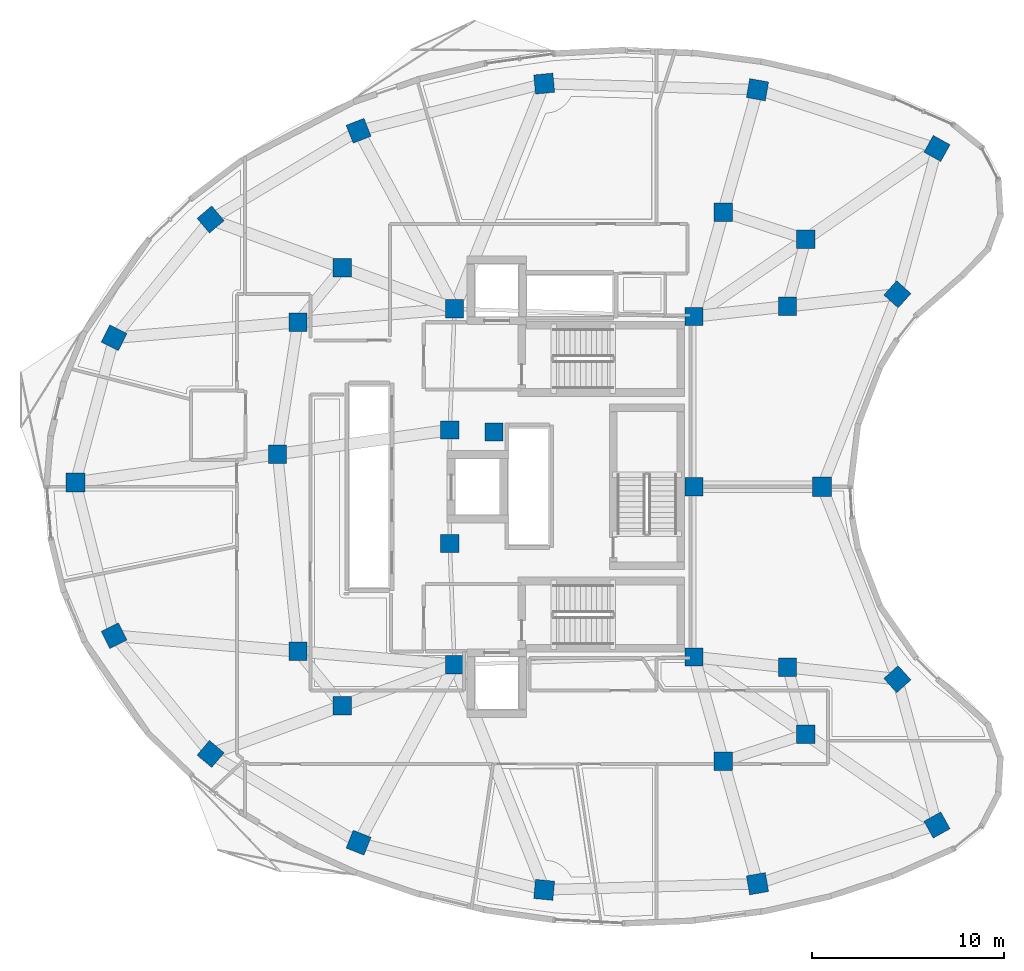
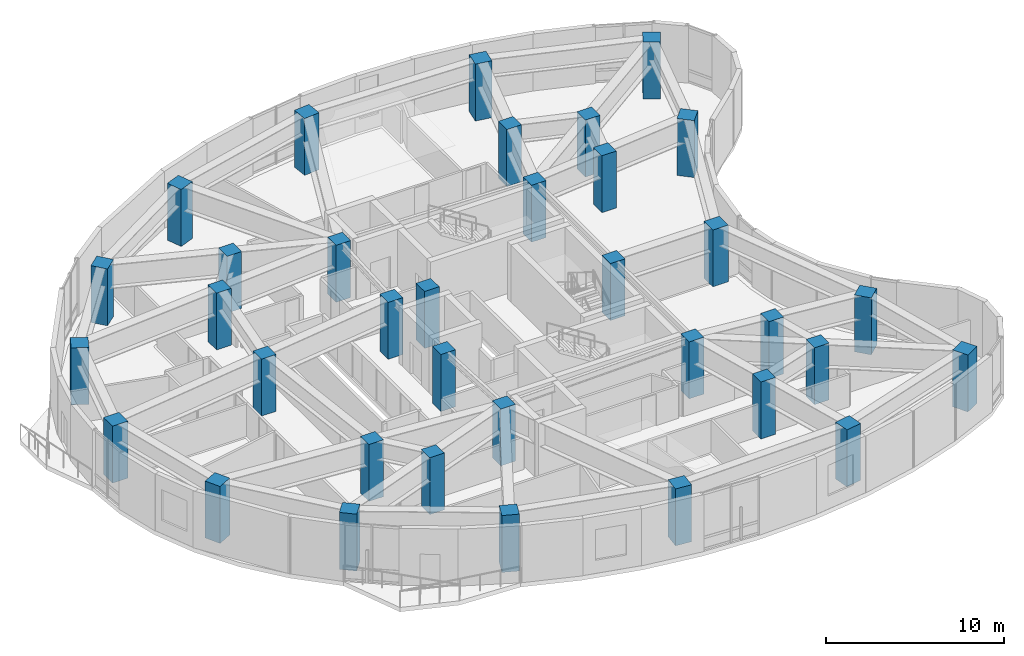
# One storey, part 1 of 14: 35 columns.
"""IFC4 building model written with IfcOpenShell, lengths in metres."""

from ifc_helpers import new_model, si_unit, direction, frame, origin, origin_2d, place, context, subcontext, project, spatial, rectangle, extrude, material, material_profile, profile_set, type_object, element, save


model = new_model("IFC4")

# Units and contexts
model_context = context("Model", 3, precision=1e-05, world=origin(), true_north=direction((0.0, 1.0)))
body_context = subcontext(model_context, "Body", "Model", "MODEL_VIEW")
ifc_project = project(units=[si_unit("LENGTHUNIT", "METRE"), si_unit("AREAUNIT", "SQUARE_METRE"), si_unit("VOLUMEUNIT", "CUBIC_METRE"), si_unit("PLANEANGLEUNIT", "RADIAN"), si_unit("MASSUNIT", "GRAM", prefix="KILO")], contexts=[model_context])

# Site, building, storey
site_placement = place(None, origin())
site = spatial("IfcSite", under=ifc_project, at=site_placement, CompositionType="ELEMENT")
building_placement = place(site_placement, origin())
building = spatial("IfcBuilding", under=site, at=building_placement, Name="Korentha Bioscience Tower", CompositionType="ELEMENT")
storey_placement = place(building_placement, frame((0.0, 0.0, 239.39990234375)))
storey = spatial("IfcBuildingStorey", under=building, at=storey_placement, Name="L55", CompositionType="ELEMENT", Elevation=239.39990234375)

# Columns
ifc_material = material(Name="Concrete C65", Category="concrete")
ifc_material_profile_1 = material_profile(ifc_material, rectangle(XDim=0.949951171875, YDim=0.949951171875, at=origin_2d()), Name="Concrete C65")
ifc_profile_set_1 = profile_set([ifc_material_profile_1], Name="Concrete C65 (COL-CP09)")
column_type_1 = type_object("IfcColumnType", Name="Core Pilaster Column RC 950x950", PredefinedType="PILASTER", material=ifc_profile_set_1)
for number, where, z_axis, x_axis, name in (
    (1, (37.550048828125, 35.85009765625, -0.00048828125), (0.0, 0.0, 1.0), (1.0, 0.0, 0.0), "L55 Core Pilaster CP-01"),
    (2, (25.10009765625, 36.25, -0.00048828125), (0.0, 0.0, 1.0), (1.0, 0.0, 0.0), "L55 Core Pilaster CP-02"),
    (3, (24.85009765625, 29.949951171875, -0.00048828125), (0.0, 0.0, 1.0), (1.0, 0.0, 0.0), "L55 Core Pilaster CP-03"),
    (4, (27.14990234375, 29.85009765625, -0.00048828125), (0.0, 0.0, 1.0), (1.0, 0.0, 0.0), "L55 Core Pilaster CP-04"),
    (5, (24.85009765625, 24.050048828125, -0.00048828125), (0.0, 0.0, 1.0), (1.0, 0.0, 0.0), "L55 Core Pilaster CP-05"),
    (6, (25.10009765625, 17.75, -0.00048828125), (0.0, 0.0, 1.0), (1.0, 0.0, 0.0), "L55 Core Pilaster CP-06"),
    (7, (37.550048828125, 18.14990234375, -0.00048828125), (0.0, 0.0, 1.0), (1.0, 0.0, 0.0), "L55 Core Pilaster CP-07"),
    (8, (37.550048828125, 27.0, -0.00048828125), (0.0, 0.0, 1.0), (1.0, 0.0, 0.0), "L55 Core Pilaster CP-08"),
):
    element("IfcColumn", number, at=place(storey_placement, frame(where, z_axis=z_axis, x_axis=x_axis)), inside=storey, type_object=column_type_1, Name=name, PredefinedType="PILASTER", context=body_context, shape_type="SweptSolid", body=[
        extrude(rectangle(XDim=0.949951171875, YDim=0.949951171875, at=origin_2d()), origin(), (0.0, 0.0, 1.0), 3.901123046875),
    ])
ifc_material_profile_2 = material_profile(ifc_material, rectangle(XDim=0.949951171875, YDim=0.949951171875, at=origin_2d()), Name="Concrete C65")
ifc_profile_set_2 = profile_set([ifc_material_profile_2], Name="Concrete C65 (COL-MR09)")
column_type_2 = type_object("IfcColumnType", Name="Mid-Ring Lab Column RC 950x950", PredefinedType="COLUMN", material=ifc_profile_set_2)
for number, where, z_axis, x_axis, name in (
    (9, (43.357666015625, 39.8662109375, -0.00048828125), (0.0, 0.0, 1.0), (1.0, 0.0, 0.0), "L55 Mid-Ring Column 01"),
    (10, (39.066650390625, 41.269775390625, -0.00048828125), (0.0, 0.0, 1.0), (1.0, 0.0, 0.0), "L55 Mid-Ring Column 02"),
    (11, (19.268310546875, 38.3837890625, -0.00048828125), (0.0, 0.0, 1.0), (1.0, 0.0, 0.0), "L55 Mid-Ring Column 05"),
    (12, (16.96044921875, 35.555908203125, -0.00048828125), (0.0, 0.0, 1.0), (1.0, 0.0, 0.0), "L55 Mid-Ring Column 06"),
    (13, (15.903076171875, 28.69482421875, -0.00048828125), (0.0, 0.0, 1.0), (1.0, 0.0, 0.0), "L55 Mid-Ring Column 07"),
    (14, (16.96044921875, 18.444091796875, -0.00048828125), (0.0, 0.0, 1.0), (1.0, 0.0, 0.0), "L55 Mid-Ring Column 08"),
    (15, (19.268310546875, 15.6162109375, -0.00048828125), (0.0, 0.0, 1.0), (1.0, 0.0, 0.0), "L55 Mid-Ring Column 09"),
    (16, (39.066650390625, 12.730224609375, -0.00048828125), (0.0, 0.0, 1.0), (1.0, 0.0, 0.0), "L55 Mid-Ring Column 12"),
    (17, (43.357666015625, 14.1337890625, -0.00048828125), (0.0, 0.0, 1.0), (1.0, 0.0, 0.0), "L55 Mid-Ring Column 13"),
    (18, (42.41064453125, 17.620361328125, -0.00048828125), (0.0, 0.0, 1.0), (1.0, 0.0, 0.0), "L55 Mid-Ring Column 14"),
    (19, (42.41064453125, 36.379638671875, -0.00048828125), (0.0, 0.0, 1.0), (1.0, 0.0, 0.0), "L55 Mid-Ring Column 16"),
):
    element("IfcColumn", number, at=place(storey_placement, frame(where, z_axis=z_axis, x_axis=x_axis)), inside=storey, type_object=column_type_2, Name=name, PredefinedType="COLUMN", context=body_context, shape_type="SweptSolid", body=[
        extrude(rectangle(XDim=0.949951171875, YDim=0.949951171875, at=origin_2d()), origin(), (0.0, 0.0, 1.0), 3.901123046875),
    ])
ifc_material_profile_3 = material_profile(ifc_material, rectangle(XDim=1.0, YDim=1.0, at=origin_2d()), Name="Concrete C65")
ifc_profile_set_3 = profile_set([ifc_material_profile_3], Name="Concrete C65 (COL-P10)")
column_type_3 = type_object("IfcColumnType", Name="Perimeter Column RC 1000x1000", PredefinedType="COLUMN", material=ifc_profile_set_3)
for number, where, z_axis, x_axis, name in (
    (20, (50.175537109375, 44.580810546875, -0.00048828125), (0.0, 0.0, 1.0), (-0.874535078577, 0.484962262797, 0.0), "L55 Perimeter Column 01"),
    (21, (40.846923828125, 47.632080078125, -0.00048828125), (0.0, 0.0, 1.0), (-0.984868307662, 0.173304404339, 0.0), "L55 Perimeter Column 02"),
    (22, (29.75927734375, 47.951171875, -0.00048828125), (0.0, 0.0, 1.0), (0.995462868748, 0.095150811579, 0.0), "L55 Perimeter Column 03"),
    (23, (20.11328125, 45.5, -0.00048828125), (0.0, 0.0, 1.0), (0.930225540858, 0.366988341962, 0.0), "L55 Perimeter Column 04"),
    (24, (12.422607421875, 40.888671875, -0.00048828125), (0.0, 0.0, 1.0), (0.764246456939, 0.644924300253, 0.0), "L55 Perimeter Column 05"),
    (25, (7.4052734375, 34.741455078125, -0.00048828125), (0.0, 0.0, 1.0), (0.453057191132, 0.891481453292, 0.0), "L55 Perimeter Column 06"),
    (26, (5.39990234375, 27.2216796875, -0.00048828125), (0.0, 0.0, 1.0), (0.0, 1.0, 0.0), "L55 Perimeter Column 07"),
    (27, (7.4052734375, 19.258544921875, -0.00048828125), (0.0, 0.0, 1.0), (-0.453057191132, 0.891481453292, 0.0), "L55 Perimeter Column 08"),
    (28, (12.422607421875, 13.111328125, -0.00048828125), (0.0, 0.0, 1.0), (-0.764246456939, 0.644924300253, 0.0), "L55 Perimeter Column 09"),
    (29, (20.11328125, 8.5, -0.00048828125), (0.0, 0.0, 1.0), (-0.930225540858, 0.366988341962, 0.0), "L55 Perimeter Column 10"),
    (30, (29.75927734375, 6.048828125, -0.00048828125), (0.0, 0.0, 1.0), (-0.995462868748, 0.095150811579, 0.0), "L55 Perimeter Column 11"),
    (31, (40.846923828125, 6.367919921875, -0.00048828125), (0.0, 0.0, 1.0), (0.984868307662, 0.173304404339, 0.0), "L55 Perimeter Column 12"),
    (32, (50.175537109375, 9.419189453125, -0.00048828125), (0.0, 0.0, 1.0), (0.874535078577, 0.484962262797, 0.0), "L55 Perimeter Column 13"),
    (33, (48.116455078125, 16.998779296875, -0.00048828125), (0.0, 0.0, 1.0), (-0.669130606359, 0.743144825477, 0.0), "L55 Perimeter Column 14"),
    (34, (44.201904296875, 27.0, -0.00048828125), (0.0, 0.0, 1.0), (0.0, 1.0, 0.0), "L55 Perimeter Column 15"),
    (35, (48.116455078125, 37.001220703125, -0.00048828125), (0.0, 0.0, 1.0), (0.669130606359, 0.743144825477, 0.0), "L55 Perimeter Column 16"),
):
    element("IfcColumn", number, at=place(storey_placement, frame(where, z_axis=z_axis, x_axis=x_axis)), inside=storey, type_object=column_type_3, Name=name, PredefinedType="COLUMN", context=body_context, shape_type="SweptSolid", body=[
        extrude(rectangle(XDim=1.0, YDim=1.0, at=origin_2d()), origin(), (0.0, 0.0, 1.0), 3.901123046875),
    ])

save(model, "model.ifc")
